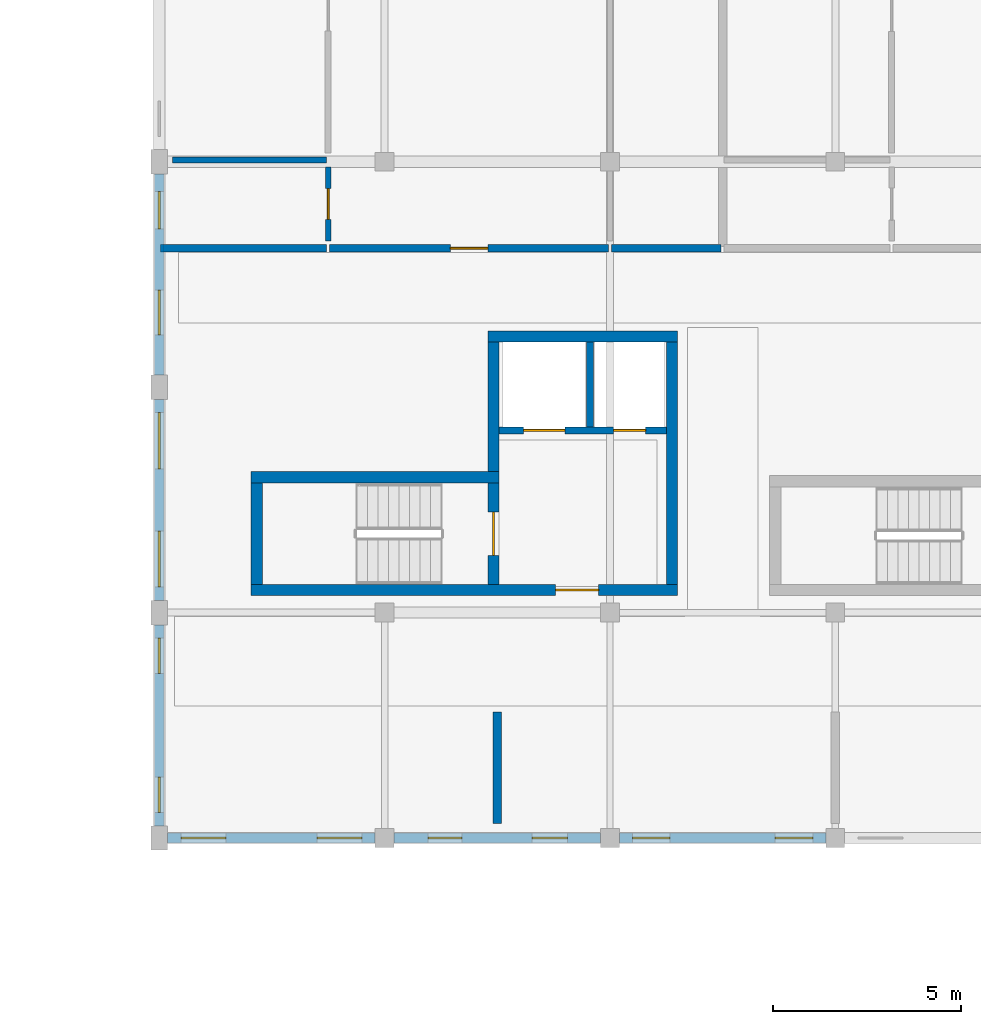
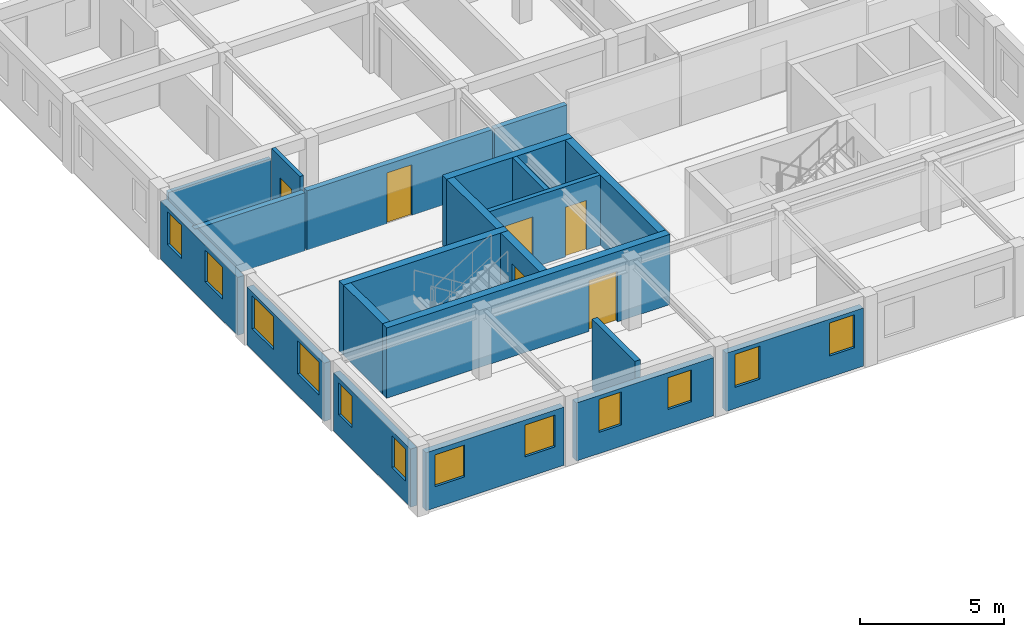
# One storey, part 13 of 23: 21 walls, 12 windows, 6 doors, 18 openings.
"""IFC4 building model written with IfcOpenShell, lengths in metres."""

from ifc_helpers import new_model, si_unit, direction, frame, frame_2d, origin, place, context, subcontext, project, spatial, rectangle, extrude, material, layer, layer_set, type_object, element, fill, save


model = new_model("IFC4")

# Units and contexts
model_context = context("Model", 3, precision=1e-05, world=origin(), true_north=direction((0.0, 1.0)))
body_context = subcontext(model_context, "Body", "Model", "MODEL_VIEW")
ifc_project = project(units=[si_unit("LENGTHUNIT", "METRE"), si_unit("AREAUNIT", "SQUARE_METRE"), si_unit("VOLUMEUNIT", "CUBIC_METRE"), si_unit("PLANEANGLEUNIT", "RADIAN"), si_unit("MASSUNIT", "GRAM", prefix="KILO"), si_unit("POWERUNIT", "WATT"), si_unit("THERMODYNAMICTEMPERATUREUNIT", "KELVIN")], contexts=[model_context])

# Site, building, storey
site_placement = place(None, origin())
site = spatial("IfcSite", under=ifc_project, at=site_placement, CompositionType="ELEMENT")
building_placement = place(site_placement, origin())
building = spatial("IfcBuilding", under=site, at=building_placement, Name="Ruvembo Vaulted Housing Court", CompositionType="ELEMENT")
storey_placement = place(building_placement, frame((0.0, 0.0, 26.89990234375)))
storey = spatial("IfcBuildingStorey", under=building, at=storey_placement, Name="L08", CompositionType="ELEMENT", Elevation=26.89990234375)

# Wall, opening, door
ifc_material_1 = material(Name="Concrete C35/45", Category="concrete")
ifc_layer_1 = layer(ifc_material_1, 0.300048828125, Name="Concrete C35/45")
ifc_layer_set_1 = layer_set([ifc_layer_1], Name="Concrete C35/45")
wall_type_1 = type_object("IfcWallType", Name="WL-CORE-300", PredefinedType="SHEAR", material=ifc_layer_set_1)
wall_1_placement = place(storey_placement, frame((50.449951171875, 90.60009765625, 0.0), z_axis=(0.0, 0.0, 1.0), x_axis=(1.0, 0.0, 0.0)))
wall_1 = element("IfcWall", 1, at=wall_1_placement, inside=storey, type_object=wall_type_1, Name="Core B1 L08 South Shear Wall", PredefinedType="SHEAR", context=body_context, shape_type="SweptSolid", body=[
    extrude(rectangle(XDim=11.35009765625, YDim=0.300048828125, at=frame_2d((5.675048828125, 0.0))), origin(), (0.0, 0.0, 1.0), 2.97998046875),
])
opening_1_placement = place(wall_1_placement, frame((8.10009765625, 0.0, 0.0)))
opening_1 = element("IfcOpeningElement", 2, at=opening_1_placement, cuts=wall_1, Name="Opening LD0", PredefinedType="OPENING", context=body_context, shape_type="SweptSolid", body=[
    extrude(rectangle(XDim=1.14990234375, YDim=2.14990234375, at=frame_2d((0.574951171875, 1.074951171875))), frame((0.0, 0.159912109375, 0.0), z_axis=(0.0, -1.0, 0.0), x_axis=(1.0, 0.0, 0.0)), (0.0, 0.0, 1.0), 0.320068359375),
])
ifc_material_2 = material(Name="Galvanised Painted Steel", Category="steel")
door_type_1 = type_object("IfcDoorType", Name="DR-LOB-1150x2150", OperationType="NOTDEFINED", PredefinedType="DOOR", material=ifc_material_2)
door_1_placement = place(opening_1_placement, origin())
door_1 = element("IfcDoor", 3, at=door_1_placement, inside=storey, type_object=door_type_1, Name="Core B1 L08 Lobby Fire Door", OperationType="SINGLE_SWING_RIGHT", OverallHeight=2.14990234375, OverallWidth=1.14990234375, PredefinedType="DOOR", context=body_context, shape_type="SweptSolid", body=[
    extrude(rectangle(XDim=1.14990234375, YDim=2.14990234375, at=frame_2d((0.574951171875, 1.074951171875))), frame((0.0, 0.02490234375, 0.0), z_axis=(0.0, -1.0, 0.0), x_axis=(1.0, 0.0, 0.0)), (0.0, 0.0, 1.0), 0.050048828125),
])
fill(opening_1, door_1)

# Walls
wall_2_placement = place(storey_placement, frame((57.050048828125, 93.60009765625, 0.0), z_axis=(0.0, 0.0, 1.0), x_axis=(-1.0, 0.0, 0.0)))
element("IfcWall", 4, at=wall_2_placement, inside=storey, type_object=wall_type_1, Name="Core B1 L08 Stair North Shear Wall", PredefinedType="SHEAR", context=body_context, shape_type="SweptSolid", body=[
    extrude(rectangle(XDim=6.60009765625, YDim=0.300048828125, at=frame_2d((3.300048828125, 0.0))), origin(), (0.0, 0.0, 1.0), 2.97998046875),
])
wall_3_placement = place(storey_placement, frame((50.60009765625, 93.449951171875, 0.0), z_axis=(0.0, 0.0, 1.0), x_axis=(0.0, -1.0, 0.0)))
element("IfcWall", 5, at=wall_3_placement, inside=storey, type_object=wall_type_1, Name="Core B1 L08 Stair West Shear Wall", PredefinedType="SHEAR", context=body_context, shape_type="SweptSolid", body=[
    extrude(rectangle(XDim=2.699951171875, YDim=0.300048828125, at=frame_2d((1.35009765625, 0.0))), origin(), (0.0, 0.0, 1.0), 2.97998046875),
])

# Wall, opening, door
wall_4_placement = place(storey_placement, frame((56.89990234375, 90.75, 0.0), z_axis=(0.0, 0.0, 1.0), x_axis=(0.0, 1.0, 0.0)))
wall_4 = element("IfcWall", 6, at=wall_4_placement, inside=storey, type_object=wall_type_1, Name="Core B1 L08 Stair-Lobby Shear Wall", PredefinedType="SHEAR", context=body_context, shape_type="SweptSolid", body=[
    extrude(rectangle(XDim=2.699951171875, YDim=0.300048828125, at=frame_2d((1.35009765625, 0.0))), origin(), (0.0, 0.0, 1.0), 2.97998046875),
])
opening_2_placement = place(wall_4_placement, frame((0.77490234375, 0.0, 0.0)))
opening_2 = element("IfcOpeningElement", 7, at=opening_2_placement, cuts=wall_4, Name="Opening SD1", PredefinedType="OPENING", context=body_context, shape_type="SweptSolid", body=[
    extrude(rectangle(XDim=1.14990234375, YDim=2.14990234375, at=frame_2d((0.574951171875, 1.074951171875))), frame((0.0, 0.159912109375, 0.0), z_axis=(0.0, -1.0, 0.0), x_axis=(1.0, 0.0, 0.0)), (0.0, 0.0, 1.0), 0.320068359375),
])
door_type_2 = type_object("IfcDoorType", Name="DR-STAIR-1150x2150", OperationType="NOTDEFINED", PredefinedType="DOOR", material=ifc_material_2)
door_2_placement = place(opening_2_placement, origin())
door_2 = element("IfcDoor", 8, at=door_2_placement, inside=storey, type_object=door_type_2, Name="Stair ST-B1 L08 Fire Door", OperationType="SINGLE_SWING_LEFT", OverallHeight=2.14990234375, OverallWidth=1.14990234375, PredefinedType="DOOR", context=body_context, shape_type="SweptSolid", body=[
    extrude(rectangle(XDim=1.14990234375, YDim=2.14990234375, at=frame_2d((0.574951171875, 1.074951171875))), frame((0.0, 0.02490234375, 0.0), z_axis=(0.0, -1.0, 0.0), x_axis=(1.0, 0.0, 0.0)), (0.0, 0.0, 1.0), 0.050048828125),
])
fill(opening_2, door_2)

# Walls
wall_5_placement = place(storey_placement, frame((61.800048828125, 97.35009765625, 0.0), z_axis=(0.0, 0.0, 1.0), x_axis=(-1.0, 0.0, 0.0)))
element("IfcWall", 9, at=wall_5_placement, inside=storey, type_object=wall_type_1, Name="Core B1 L08 North Shear Wall", PredefinedType="SHEAR", context=body_context, shape_type="SweptSolid", body=[
    extrude(rectangle(XDim=5.050048828125, YDim=0.300048828125, at=frame_2d((2.52490234375, 0.0))), origin(), (0.0, 0.0, 1.0), 2.97998046875),
])
wall_6_placement = place(storey_placement, frame((61.64990234375, 90.75, 0.0), z_axis=(0.0, 0.0, 1.0), x_axis=(0.0, 1.0, 0.0)))
element("IfcWall", 10, at=wall_6_placement, inside=storey, type_object=wall_type_1, Name="Core B1 L08 East Shear Wall", PredefinedType="SHEAR", context=body_context, shape_type="SweptSolid", body=[
    extrude(rectangle(XDim=6.449951171875, YDim=0.300048828125, at=frame_2d((3.22509765625, 0.0))), origin(), (0.0, 0.0, 1.0), 2.97998046875),
])
wall_7_placement = place(storey_placement, frame((56.89990234375, 93.75, 0.0), z_axis=(0.0, 0.0, 1.0), x_axis=(0.0, 1.0, 0.0)))
element("IfcWall", 11, at=wall_7_placement, inside=storey, type_object=wall_type_1, Name="Core B1 L08 Upper West Shear Wall", PredefinedType="SHEAR", context=body_context, shape_type="SweptSolid", body=[
    extrude(rectangle(XDim=3.449951171875, YDim=0.300048828125, at=frame_2d((1.72509765625, 0.0))), origin(), (0.0, 0.0, 1.0), 2.97998046875),
])
ifc_material_3 = material(Name="Concrete Blockwork 210", Category="masonry")
ifc_layer_2 = layer(ifc_material_3, 0.2099609375, Name="Concrete Blockwork 210")
ifc_layer_set_2 = layer_set([ifc_layer_2], Name="Concrete Blockwork 210")
wall_type_2 = type_object("IfcWallType", Name="WL-CORR-210", PredefinedType="SOLIDWALL", material=ifc_layer_set_2)
wall_8_placement = place(storey_placement, frame((48.0400390625, 99.699951171875, 0.0), z_axis=(0.0, 0.0, 1.0), x_axis=(1.0, 0.0, 0.0)))
element("IfcWall", 12, at=wall_8_placement, inside=storey, type_object=wall_type_2, Name="L08 Flat B-L08-N1 Corridor Wall WL-INT-L08-02070", PredefinedType="SOLIDWALL", context=body_context, shape_type="SweptSolid", body=[
    extrude(rectangle(XDim=4.419921875, YDim=0.2099609375, at=frame_2d((2.2099609375, 0.0))), origin(), (0.0, 0.0, 1.0), 2.462158203125),
])

# Wall, opening, door
wall_9_placement = place(storey_placement, frame((52.5400390625, 99.699951171875, 0.0), z_axis=(0.0, 0.0, 1.0), x_axis=(1.0, 0.0, 0.0)))
wall_9 = element("IfcWall", 13, at=wall_9_placement, inside=storey, type_object=wall_type_2, Name="L08 Flat B-L08-N1 Entrance WL-INT-L08-02071", PredefinedType="SOLIDWALL", context=body_context, shape_type="SweptSolid", body=[
    extrude(rectangle(XDim=7.419921875, YDim=0.2099609375, at=frame_2d((3.7099609375, 0.0))), origin(), (0.0, 0.0, 1.0), 2.508056640625),
])
opening_3_placement = place(wall_9_placement, frame((3.2099609375, 0.0, 0.0)))
opening_3 = element("IfcOpeningElement", 14, at=opening_3_placement, cuts=wall_9, Name="Opening FD1", PredefinedType="OPENING", context=body_context, shape_type="SweptSolid", body=[
    extrude(rectangle(XDim=1.0, YDim=2.14990234375, at=frame_2d((0.5, 1.074951171875))), frame((0.0, 0.114990234375, 0.0), z_axis=(0.0, -1.0, 0.0), x_axis=(1.0, 0.0, 0.0)), (0.0, 0.0, 1.0), 0.22998046875),
])
ifc_material_4 = material(Name="FSC Hardwood and Engineered Timber", Category="wood")
door_type_3 = type_object("IfcDoorType", Name="DR-FLAT-1000x2150", OperationType="NOTDEFINED", PredefinedType="DOOR", material=ifc_material_4)
door_3_placement = place(opening_3_placement, origin())
door_3 = element("IfcDoor", 15, at=door_3_placement, inside=storey, type_object=door_type_3, Name="L08 Flat B-L08-N1 Entrance Door DR-INT-L08-01155", OperationType="SINGLE_SWING_LEFT", OverallHeight=2.14990234375, OverallWidth=1.0, PredefinedType="DOOR", context=body_context, shape_type="SweptSolid", body=[
    extrude(rectangle(XDim=1.0, YDim=2.14990234375, at=frame_2d((0.5, 1.074951171875))), frame((0.0, 0.02490234375, 0.0), z_axis=(0.0, -1.0, 0.0), x_axis=(1.0, 0.0, 0.0)), (0.0, 0.0, 1.0), 0.050048828125),
])
fill(opening_3, door_3)

# Walls
wall_10_placement = place(storey_placement, frame((60.0400390625, 99.699951171875, 0.0), z_axis=(0.0, 0.0, 1.0), x_axis=(1.0, 0.0, 0.0)))
element("IfcWall", 16, at=wall_10_placement, inside=storey, type_object=wall_type_2, Name="L08 Flat B-L08-N1 Corridor Wall 2 WL-INT-L08-02077", PredefinedType="SOLIDWALL", context=body_context, shape_type="SweptSolid", body=[
    extrude(rectangle(XDim=2.919921875, YDim=0.2099609375, at=frame_2d((1.4599609375, 0.0))), origin(), (0.0, 0.0, 1.0), 2.508056640625),
])
ifc_material_5 = material(Name="Acoustic Masonry Demising 220", Category="masonry")
ifc_layer_3 = layer(ifc_material_5, 0.219970703125, Name="Acoustic Masonry Demising 220")
ifc_layer_set_3 = layer_set([ifc_layer_3], Name="Acoustic Masonry Demising 220")
wall_type_3 = type_object("IfcWallType", Name="WL-DEM-200", PredefinedType="SOLIDWALL", material=ifc_layer_set_3)
wall_11_placement = place(storey_placement, frame((57.0, 84.389892578125, 0.0), z_axis=(0.0, 0.0, 1.0), x_axis=(0.0, 1.0, 0.0)))
element("IfcWall", 17, at=wall_11_placement, inside=storey, type_object=wall_type_3, Name="L08 Demising B-L08-S1 WL-INT-L08-02067", PredefinedType="SOLIDWALL", context=body_context, shape_type="SweptSolid", body=[
    extrude(rectangle(XDim=2.97021484375, YDim=0.219970703125, at=frame_2d((1.485107421875, 0.0))), origin(), (0.0, 0.0, 1.0), 2.97998046875),
])

# Wall, openings, windows
ifc_material_6 = material(Name="Rendered Masonry 260", Category="masonry")
ifc_layer_4 = layer(ifc_material_6, 0.260009765625, Name="Rendered Masonry 260")
ifc_layer_set_4 = layer_set([ifc_layer_4], Name="Rendered Masonry 260")
wall_type_4 = type_object("IfcWallType", Name="WL-EXT-260", PredefinedType="STANDARD", material=ifc_layer_set_4)
wall_12_placement = place(storey_placement, frame((48.22509765625, 84.0, 0.0), z_axis=(0.0, 0.0, 1.0), x_axis=(1.0, 0.0, 0.0)))
wall_12 = element("IfcWall", 18, at=wall_12_placement, inside=storey, type_object=wall_type_4, Name="Block B L08 Exterior Wall COURTYARD #1", PredefinedType="STANDARD", context=body_context, shape_type="SweptSolid", body=[
    extrude(rectangle(XDim=5.52490234375, YDim=0.260009765625, at=frame_2d((2.762451171875, 0.0))), origin(), (0.0, 0.0, 1.0), 2.462158203125),
])
opening_4_placement = place(wall_12_placement, frame((0.35009765625, 0.0, 0.89990234375)))
opening_4 = element("IfcOpeningElement", 19, at=opening_4_placement, cuts=wall_12, Name="Opening W12", PredefinedType="OPENING", context=body_context, shape_type="SweptSolid", body=[
    extrude(rectangle(XDim=1.199951171875, YDim=1.35009765625, at=frame_2d((0.60009765625, 0.675048828125))), frame((0.0, 0.139892578125, 0.0), z_axis=(0.0, -1.0, 0.0), x_axis=(1.0, 0.0, 0.0)), (0.0, 0.0, 1.0), 0.280029296875),
])
opening_5_placement = place(wall_12_placement, frame((3.97509765625, 0.0, 0.89990234375)))
opening_5 = element("IfcOpeningElement", 20, at=opening_5_placement, cuts=wall_12, Name="Opening W12", PredefinedType="OPENING", context=body_context, shape_type="SweptSolid", body=[
    extrude(rectangle(XDim=1.199951171875, YDim=1.35009765625, at=frame_2d((0.60009765625, 0.675048828125))), frame((0.0, 0.139892578125, 0.0), z_axis=(0.0, -1.0, 0.0), x_axis=(1.0, 0.0, 0.0)), (0.0, 0.0, 1.0), 0.280029296875),
])
ifc_material_7 = material(Name="Double Solar-Control Glazing in Aluminium Frame", Category="aluminium")
window_type_1 = type_object("IfcWindowType", Name="WIN-1200x1350", PartitioningType="SINGLE_PANEL", PredefinedType="WINDOW", material=ifc_material_7)
window_1_placement = place(opening_4_placement, origin())
window_1 = element("IfcWindow", 21, at=window_1_placement, inside=storey, type_object=window_type_1, Name="Block B L08 Window #946", OverallHeight=1.35009765625, OverallWidth=1.199951171875, PartitioningType="SINGLE_PANEL", PredefinedType="WINDOW", context=body_context, shape_type="SweptSolid", body=[
    extrude(rectangle(XDim=1.199951171875, YDim=1.35009765625, at=frame_2d((0.60009765625, 0.675048828125))), frame((0.0, 0.030029296875, 0.0), z_axis=(0.0, -1.0, 0.0), x_axis=(1.0, 0.0, 0.0)), (0.0, 0.0, 1.0), 0.06005859375),
])
fill(opening_4, window_1)
window_2_placement = place(opening_5_placement, origin())
window_2 = element("IfcWindow", 22, at=window_2_placement, inside=storey, type_object=window_type_1, Name="Block B L08 Window #947", OverallHeight=1.35009765625, OverallWidth=1.199951171875, PartitioningType="SINGLE_PANEL", PredefinedType="WINDOW", context=body_context, shape_type="SweptSolid", body=[
    extrude(rectangle(XDim=1.199951171875, YDim=1.35009765625, at=frame_2d((0.60009765625, 0.675048828125))), frame((0.0, 0.030029296875, 0.0), z_axis=(0.0, -1.0, 0.0), x_axis=(1.0, 0.0, 0.0)), (0.0, 0.0, 1.0), 0.06005859375),
])
fill(opening_5, window_2)

wall_13_placement = place(storey_placement, frame((54.25, 84.0, 0.0), z_axis=(0.0, 0.0, 1.0), x_axis=(1.0, 0.0, 0.0)))
wall_13 = element("IfcWall", 23, at=wall_13_placement, inside=storey, type_object=wall_type_4, Name="Block B L08 Exterior Wall COURTYARD #2", PredefinedType="STANDARD", context=body_context, shape_type="SweptSolid", body=[
    extrude(rectangle(XDim=5.5, YDim=0.260009765625, at=frame_2d((2.75, 0.0))), origin(), (0.0, 0.0, 1.0), 2.462158203125),
])
opening_6_placement = place(wall_13_placement, frame((0.905029296875, 0.0, 0.89990234375)))
opening_6 = element("IfcOpeningElement", 24, at=opening_6_placement, cuts=wall_13, Name="Opening W05", PredefinedType="OPENING", context=body_context, shape_type="SweptSolid", body=[
    extrude(rectangle(XDim=0.89990234375, YDim=1.39990234375, at=frame_2d((0.449951171875, 0.699951171875))), frame((0.0, 0.139892578125, 0.0), z_axis=(0.0, -1.0, 0.0), x_axis=(1.0, 0.0, 0.0)), (0.0, 0.0, 1.0), 0.280029296875),
])
opening_7_placement = place(wall_13_placement, frame((3.669921875, 0.0, 0.89990234375)))
opening_7 = element("IfcOpeningElement", 25, at=opening_7_placement, cuts=wall_13, Name="Opening W07", PredefinedType="OPENING", context=body_context, shape_type="SweptSolid", body=[
    extrude(rectangle(XDim=0.949951171875, YDim=1.35009765625, at=frame_2d((0.47509765625, 0.675048828125))), frame((0.0, 0.139892578125, 0.0), z_axis=(0.0, -1.0, 0.0), x_axis=(1.0, 0.0, 0.0)), (0.0, 0.0, 1.0), 0.280029296875),
])
window_type_2 = type_object("IfcWindowType", Name="WIN-0900x1400", PartitioningType="SINGLE_PANEL", PredefinedType="WINDOW", material=ifc_material_7)
window_3_placement = place(opening_6_placement, origin())
window_3 = element("IfcWindow", 26, at=window_3_placement, inside=storey, type_object=window_type_2, Name="Block B L08 Window #948", OverallHeight=1.39990234375, OverallWidth=0.89990234375, PartitioningType="SINGLE_PANEL", PredefinedType="WINDOW", context=body_context, shape_type="SweptSolid", body=[
    extrude(rectangle(XDim=0.89990234375, YDim=1.39990234375, at=frame_2d((0.449951171875, 0.699951171875))), frame((0.0, 0.030029296875, 0.0), z_axis=(0.0, -1.0, 0.0), x_axis=(1.0, 0.0, 0.0)), (0.0, 0.0, 1.0), 0.06005859375),
])
fill(opening_6, window_3)
window_type_3 = type_object("IfcWindowType", Name="WIN-0950x1350", PartitioningType="SINGLE_PANEL", PredefinedType="WINDOW", material=ifc_material_7)
window_4_placement = place(opening_7_placement, origin())
window_4 = element("IfcWindow", 27, at=window_4_placement, inside=storey, type_object=window_type_3, Name="Block B L08 Window #949", OverallHeight=1.35009765625, OverallWidth=0.949951171875, PartitioningType="SINGLE_PANEL", PredefinedType="WINDOW", context=body_context, shape_type="SweptSolid", body=[
    extrude(rectangle(XDim=0.949951171875, YDim=1.35009765625, at=frame_2d((0.47509765625, 0.675048828125))), frame((0.0, 0.030029296875, 0.0), z_axis=(0.0, -1.0, 0.0), x_axis=(1.0, 0.0, 0.0)), (0.0, 0.0, 1.0), 0.06005859375),
])
fill(opening_7, window_4)

wall_14_placement = place(storey_placement, frame((60.25, 84.0, 0.0), z_axis=(0.0, 0.0, 1.0), x_axis=(1.0, 0.0, 0.0)))
wall_14 = element("IfcWall", 28, at=wall_14_placement, inside=storey, type_object=wall_type_4, Name="Block B L08 Exterior Wall COURTYARD #3", PredefinedType="STANDARD", context=body_context, shape_type="SweptSolid", body=[
    extrude(rectangle(XDim=5.5, YDim=0.260009765625, at=frame_2d((2.75, 0.0))), origin(), (0.0, 0.0, 1.0), 2.462158203125),
])
opening_8_placement = place(wall_14_placement, frame((0.35009765625, 0.0, 0.89990234375)))
opening_8 = element("IfcOpeningElement", 29, at=opening_8_placement, cuts=wall_14, Name="Opening W08", PredefinedType="OPENING", context=body_context, shape_type="SweptSolid", body=[
    extrude(rectangle(XDim=1.0, YDim=1.39990234375, at=frame_2d((0.5, 0.699951171875))), frame((0.0, 0.139892578125, 0.0), z_axis=(0.0, -1.0, 0.0), x_axis=(1.0, 0.0, 0.0)), (0.0, 0.0, 1.0), 0.280029296875),
])
opening_9_placement = place(wall_14_placement, frame((4.14990234375, 0.0, 0.89990234375)))
opening_9 = element("IfcOpeningElement", 30, at=opening_9_placement, cuts=wall_14, Name="Opening W08", PredefinedType="OPENING", context=body_context, shape_type="SweptSolid", body=[
    extrude(rectangle(XDim=1.0, YDim=1.39990234375, at=frame_2d((0.5, 0.699951171875))), frame((0.0, 0.139892578125, 0.0), z_axis=(0.0, -1.0, 0.0), x_axis=(1.0, 0.0, 0.0)), (0.0, 0.0, 1.0), 0.280029296875),
])
window_type_4 = type_object("IfcWindowType", Name="WIN-1000x1400", PartitioningType="SINGLE_PANEL", PredefinedType="WINDOW", material=ifc_material_7)
window_5_placement = place(opening_8_placement, origin())
window_5 = element("IfcWindow", 31, at=window_5_placement, inside=storey, type_object=window_type_4, Name="Block B L08 Window #950", OverallHeight=1.39990234375, OverallWidth=1.0, PartitioningType="SINGLE_PANEL", PredefinedType="WINDOW", context=body_context, shape_type="SweptSolid", body=[
    extrude(rectangle(XDim=1.0, YDim=1.39990234375, at=frame_2d((0.5, 0.699951171875))), frame((0.0, 0.030029296875, 0.0), z_axis=(0.0, -1.0, 0.0), x_axis=(1.0, 0.0, 0.0)), (0.0, 0.0, 1.0), 0.06005859375),
])
fill(opening_8, window_5)
window_6_placement = place(opening_9_placement, origin())
window_6 = element("IfcWindow", 32, at=window_6_placement, inside=storey, type_object=window_type_4, Name="Block B L08 Window #951", OverallHeight=1.39990234375, OverallWidth=1.0, PartitioningType="SINGLE_PANEL", PredefinedType="WINDOW", context=body_context, shape_type="SweptSolid", body=[
    extrude(rectangle(XDim=1.0, YDim=1.39990234375, at=frame_2d((0.5, 0.699951171875))), frame((0.0, 0.030029296875, 0.0), z_axis=(0.0, -1.0, 0.0), x_axis=(1.0, 0.0, 0.0)), (0.0, 0.0, 1.0), 0.06005859375),
])
fill(opening_9, window_6)

wall_15_placement = place(storey_placement, frame((48.0, 101.675048828125, 0.0), z_axis=(0.0, 0.0, 1.0), x_axis=(0.0, -1.0, 0.0)))
wall_15 = element("IfcWall", 33, at=wall_15_placement, inside=storey, type_object=wall_type_4, Name="Block B L08 Exterior Wall WEST #3", PredefinedType="STANDARD", context=body_context, shape_type="SweptSolid", body=[
    extrude(rectangle(XDim=5.35009765625, YDim=0.260009765625, at=frame_2d((2.675048828125, 0.0))), origin(), (0.0, 0.0, 1.0), 2.462158203125),
])
opening_10_placement = place(wall_15_placement, frame((0.467529296875, 0.0, 0.89990234375)))
opening_10 = element("IfcOpeningElement", 34, at=opening_10_placement, cuts=wall_15, Name="Opening W08", PredefinedType="OPENING", context=body_context, shape_type="SweptSolid", body=[
    extrude(rectangle(XDim=1.0, YDim=1.39990234375, at=frame_2d((0.5, 0.699951171875))), frame((0.0, 0.139892578125, 0.0), z_axis=(0.0, -1.0, 0.0), x_axis=(1.0, 0.0, 0.0)), (0.0, 0.0, 1.0), 0.280029296875),
])
opening_11_placement = place(wall_15_placement, frame((3.08251953125, 0.0, 0.89990234375)))
opening_11 = element("IfcOpeningElement", 35, at=opening_11_placement, cuts=wall_15, Name="Opening W12", PredefinedType="OPENING", context=body_context, shape_type="SweptSolid", body=[
    extrude(rectangle(XDim=1.199951171875, YDim=1.35009765625, at=frame_2d((0.60009765625, 0.675048828125))), frame((0.0, 0.139892578125, 0.0), z_axis=(0.0, -1.0, 0.0), x_axis=(1.0, 0.0, 0.0)), (0.0, 0.0, 1.0), 0.280029296875),
])
window_7_placement = place(opening_10_placement, origin())
window_7 = element("IfcWindow", 36, at=window_7_placement, inside=storey, type_object=window_type_4, Name="Block B L08 Window #981", OverallHeight=1.39990234375, OverallWidth=1.0, PartitioningType="SINGLE_PANEL", PredefinedType="WINDOW", context=body_context, shape_type="SweptSolid", body=[
    extrude(rectangle(XDim=1.0, YDim=1.39990234375, at=frame_2d((0.5, 0.699951171875))), frame((0.0, 0.030029296875, 0.0), z_axis=(0.0, -1.0, 0.0), x_axis=(1.0, 0.0, 0.0)), (0.0, 0.0, 1.0), 0.06005859375),
])
fill(opening_10, window_7)
window_8_placement = place(opening_11_placement, origin())
window_8 = element("IfcWindow", 37, at=window_8_placement, inside=storey, type_object=window_type_1, Name="Block B L08 Window #982", OverallHeight=1.35009765625, OverallWidth=1.199951171875, PartitioningType="SINGLE_PANEL", PredefinedType="WINDOW", context=body_context, shape_type="SweptSolid", body=[
    extrude(rectangle(XDim=1.199951171875, YDim=1.35009765625, at=frame_2d((0.60009765625, 0.675048828125))), frame((0.0, 0.030029296875, 0.0), z_axis=(0.0, -1.0, 0.0), x_axis=(1.0, 0.0, 0.0)), (0.0, 0.0, 1.0), 0.06005859375),
])
fill(opening_11, window_8)

wall_16_placement = place(storey_placement, frame((48.0, 95.675048828125, 0.0), z_axis=(0.0, 0.0, 1.0), x_axis=(0.0, -1.0, 0.0)))
wall_16 = element("IfcWall", 38, at=wall_16_placement, inside=storey, type_object=wall_type_4, Name="Block B L08 Exterior Wall WEST #4", PredefinedType="STANDARD", context=body_context, shape_type="SweptSolid", body=[
    extrude(rectangle(XDim=5.35009765625, YDim=0.260009765625, at=frame_2d((2.675048828125, 0.0))), origin(), (0.0, 0.0, 1.0), 2.462158203125),
])
opening_12_placement = place(wall_16_placement, frame((0.35009765625, 0.0, 0.89990234375)))
opening_12 = element("IfcOpeningElement", 39, at=opening_12_placement, cuts=wall_16, Name="Opening W18", PredefinedType="OPENING", context=body_context, shape_type="SweptSolid", body=[
    extrude(rectangle(XDim=1.5, YDim=1.39990234375, at=frame_2d((0.75, 0.699951171875))), frame((0.0, 0.139892578125, 0.0), z_axis=(0.0, -1.0, 0.0), x_axis=(1.0, 0.0, 0.0)), (0.0, 0.0, 1.0), 0.280029296875),
])
opening_13_placement = place(wall_16_placement, frame((3.5, 0.0, 0.89990234375)))
opening_13 = element("IfcOpeningElement", 40, at=opening_13_placement, cuts=wall_16, Name="Opening W18", PredefinedType="OPENING", context=body_context, shape_type="SweptSolid", body=[
    extrude(rectangle(XDim=1.5, YDim=1.39990234375, at=frame_2d((0.75, 0.699951171875))), frame((0.0, 0.139892578125, 0.0), z_axis=(0.0, -1.0, 0.0), x_axis=(1.0, 0.0, 0.0)), (0.0, 0.0, 1.0), 0.280029296875),
])
window_type_5 = type_object("IfcWindowType", Name="WIN-1500x1400", PartitioningType="SINGLE_PANEL", PredefinedType="WINDOW", material=ifc_material_7)
window_9_placement = place(opening_12_placement, origin())
window_9 = element("IfcWindow", 41, at=window_9_placement, inside=storey, type_object=window_type_5, Name="Block B L08 Window #983", OverallHeight=1.39990234375, OverallWidth=1.5, PartitioningType="SINGLE_PANEL", PredefinedType="WINDOW", context=body_context, shape_type="SweptSolid", body=[
    extrude(rectangle(XDim=1.5, YDim=1.39990234375, at=frame_2d((0.75, 0.699951171875))), frame((0.0, 0.030029296875, 0.0), z_axis=(0.0, -1.0, 0.0), x_axis=(1.0, 0.0, 0.0)), (0.0, 0.0, 1.0), 0.06005859375),
])
fill(opening_12, window_9)
window_10_placement = place(opening_13_placement, origin())
window_10 = element("IfcWindow", 42, at=window_10_placement, inside=storey, type_object=window_type_5, Name="Block B L08 Window #984", OverallHeight=1.39990234375, OverallWidth=1.5, PartitioningType="SINGLE_PANEL", PredefinedType="WINDOW", context=body_context, shape_type="SweptSolid", body=[
    extrude(rectangle(XDim=1.5, YDim=1.39990234375, at=frame_2d((0.75, 0.699951171875))), frame((0.0, 0.030029296875, 0.0), z_axis=(0.0, -1.0, 0.0), x_axis=(1.0, 0.0, 0.0)), (0.0, 0.0, 1.0), 0.06005859375),
])
fill(opening_13, window_10)

wall_17_placement = place(storey_placement, frame((48.0, 89.675048828125, 0.0), z_axis=(0.0, 0.0, 1.0), x_axis=(0.0, -1.0, 0.0)))
wall_17 = element("IfcWall", 43, at=wall_17_placement, inside=storey, type_object=wall_type_4, Name="Block B L08 Exterior Wall WEST #5", PredefinedType="STANDARD", context=body_context, shape_type="SweptSolid", body=[
    extrude(rectangle(XDim=5.35009765625, YDim=0.260009765625, at=frame_2d((2.675048828125, 0.0))), origin(), (0.0, 0.0, 1.0), 2.462158203125),
])
opening_14_placement = place(wall_17_placement, frame((0.35009765625, 0.0, 0.89990234375)))
opening_14 = element("IfcOpeningElement", 44, at=opening_14_placement, cuts=wall_17, Name="Opening W07", PredefinedType="OPENING", context=body_context, shape_type="SweptSolid", body=[
    extrude(rectangle(XDim=0.949951171875, YDim=1.35009765625, at=frame_2d((0.47509765625, 0.675048828125))), frame((0.0, 0.139892578125, 0.0), z_axis=(0.0, -1.0, 0.0), x_axis=(1.0, 0.0, 0.0)), (0.0, 0.0, 1.0), 0.280029296875),
])
opening_15_placement = place(wall_17_placement, frame((4.050048828125, 0.0, 0.89990234375)))
opening_15 = element("IfcOpeningElement", 45, at=opening_15_placement, cuts=wall_17, Name="Opening W07", PredefinedType="OPENING", context=body_context, shape_type="SweptSolid", body=[
    extrude(rectangle(XDim=0.949951171875, YDim=1.35009765625, at=frame_2d((0.47509765625, 0.675048828125))), frame((0.0, 0.139892578125, 0.0), z_axis=(0.0, -1.0, 0.0), x_axis=(1.0, 0.0, 0.0)), (0.0, 0.0, 1.0), 0.280029296875),
])
window_11_placement = place(opening_14_placement, origin())
window_11 = element("IfcWindow", 46, at=window_11_placement, inside=storey, type_object=window_type_3, Name="Block B L08 Window #985", OverallHeight=1.35009765625, OverallWidth=0.949951171875, PartitioningType="SINGLE_PANEL", PredefinedType="WINDOW", context=body_context, shape_type="SweptSolid", body=[
    extrude(rectangle(XDim=0.949951171875, YDim=1.35009765625, at=frame_2d((0.47509765625, 0.675048828125))), frame((0.0, 0.030029296875, 0.0), z_axis=(0.0, -1.0, 0.0), x_axis=(1.0, 0.0, 0.0)), (0.0, 0.0, 1.0), 0.06005859375),
])
fill(opening_14, window_11)
window_12_placement = place(opening_15_placement, origin())
window_12 = element("IfcWindow", 47, at=window_12_placement, inside=storey, type_object=window_type_3, Name="Block B L08 Window #986", OverallHeight=1.35009765625, OverallWidth=0.949951171875, PartitioningType="SINGLE_PANEL", PredefinedType="WINDOW", context=body_context, shape_type="SweptSolid", body=[
    extrude(rectangle(XDim=0.949951171875, YDim=1.35009765625, at=frame_2d((0.47509765625, 0.675048828125))), frame((0.0, 0.030029296875, 0.0), z_axis=(0.0, -1.0, 0.0), x_axis=(1.0, 0.0, 0.0)), (0.0, 0.0, 1.0), 0.06005859375),
])
fill(opening_15, window_12)

# Wall, opening, door
ifc_material_8 = material(Name="Moisture-Resistant Wet Partition 150", Category="gypsum")
ifc_layer_5 = layer(ifc_material_8, 0.14990234375, Name="Moisture-Resistant Wet Partition 150")
ifc_layer_set_5 = layer_set([ifc_layer_5], Name="Moisture-Resistant Wet Partition 150")
wall_type_5 = type_object("IfcWallType", Name="WL-PART-150", PredefinedType="PARTITIONING", material=ifc_layer_set_5)
wall_18_placement = place(storey_placement, frame((52.5, 99.889892578125, 0.0), z_axis=(0.0, 0.0, 1.0), x_axis=(0.0, 1.0, 0.0)))
wall_18 = element("IfcWall", 48, at=wall_18_placement, inside=storey, type_object=wall_type_5, Name="L08 Flat B-L08-N1 Bathroom WL-INT-L08-02074", PredefinedType="PARTITIONING", context=body_context, shape_type="SweptSolid", body=[
    extrude(rectangle(XDim=1.97021484375, YDim=0.14990234375, at=frame_2d((0.985107421875, 0.0))), origin(), (0.0, 0.0, 1.0), 2.97998046875),
])
opening_16_placement = place(wall_18_placement, frame((0.574951171875, 0.0, 0.0)))
opening_16 = element("IfcOpeningElement", 49, at=opening_16_placement, cuts=wall_18, Name="Opening ID4", PredefinedType="OPENING", context=body_context, shape_type="SweptSolid", body=[
    extrude(rectangle(XDim=0.820068359375, YDim=2.080078125, at=frame_2d((0.41015625, 1.0400390625))), frame((0.0, 0.0849609375, 0.0), z_axis=(0.0, -1.0, 0.0), x_axis=(1.0, 0.0, 0.0)), (0.0, 0.0, 1.0), 0.169921875),
])
door_type_4 = type_object("IfcDoorType", Name="DR-WET-0820x2080", OperationType="NOTDEFINED", PredefinedType="DOOR", material=ifc_material_4)
door_4_placement = place(opening_16_placement, origin())
door_4 = element("IfcDoor", 50, at=door_4_placement, inside=storey, type_object=door_type_4, Name="L08 Flat B-L08-N1 Bathroom Door DR-INT-L08-01158", OperationType="SINGLE_SWING_RIGHT", OverallHeight=2.080078125, OverallWidth=0.820068359375, PredefinedType="DOOR", context=body_context, shape_type="SweptSolid", body=[
    extrude(rectangle(XDim=0.820068359375, YDim=2.080078125, at=frame_2d((0.41015625, 1.0400390625))), frame((0.0, 0.02490234375, 0.0), z_axis=(0.0, -1.0, 0.0), x_axis=(1.0, 0.0, 0.0)), (0.0, 0.0, 1.0), 0.050048828125),
])
fill(opening_16, door_4)

# Wall
wall_19_placement = place(storey_placement, frame((48.360107421875, 102.050048828125, 0.0), z_axis=(0.0, 0.0, 1.0), x_axis=(1.0, 0.0, 0.0)))
element("IfcWall", 51, at=wall_19_placement, inside=storey, type_object=wall_type_5, Name="L08 Flat B-L08-N1 Wet Wall 2 WL-INT-L08-02076", PredefinedType="PARTITIONING", context=body_context, shape_type="SweptSolid", body=[
    extrude(rectangle(XDim=4.099853515625, YDim=0.14990234375, at=frame_2d((2.0498046875, 0.0))), origin(), (0.0, 0.0, 1.0), 2.462158203125),
])

# Wall, openings, doors
ifc_material_9 = material(Name="Fire-Rated Masonry Shaft 180", Category="masonry")
ifc_layer_6 = layer(ifc_material_9, 0.179931640625, Name="Fire-Rated Masonry Shaft 180")
ifc_layer_set_6 = layer_set([ifc_layer_6], Name="Fire-Rated Masonry Shaft 180")
wall_type_6 = type_object("IfcWallType", Name="WL-SHAFT-180", PredefinedType="SOLIDWALL", material=ifc_layer_set_6)
wall_20_placement = place(storey_placement, frame((57.050048828125, 94.85009765625, 0.0), z_axis=(0.0, 0.0, 1.0), x_axis=(1.0, 0.0, 0.0)))
wall_20 = element("IfcWall", 52, at=wall_20_placement, inside=storey, type_object=wall_type_6, Name="Core B1 L08 Lift and Riser Front Wall", PredefinedType="SOLIDWALL", context=body_context, shape_type="SweptSolid", body=[
    extrude(rectangle(XDim=4.449951171875, YDim=0.179931640625, at=frame_2d((2.22509765625, 0.0))), origin(), (0.0, 0.0, 1.0), 2.97998046875),
])
opening_17_placement = place(wall_20_placement, frame((0.64990234375, 0.0, 0.0)))
opening_17 = element("IfcOpeningElement", 53, at=opening_17_placement, cuts=wall_20, Name="Opening LD-LP-B1-L08", PredefinedType="OPENING", context=body_context, shape_type="SweptSolid", body=[
    extrude(rectangle(XDim=1.10009765625, YDim=2.14990234375, at=frame_2d((0.550048828125, 1.074951171875))), frame((0.0, 0.099853515625, 0.0), z_axis=(0.0, -1.0, 0.0), x_axis=(1.0, 0.0, 0.0)), (0.0, 0.0, 1.0), 0.199951171875),
])
opening_18_placement = place(wall_20_placement, frame((3.050048828125, 0.0, 0.0)))
opening_18 = element("IfcOpeningElement", 54, at=opening_18_placement, cuts=wall_20, Name="Opening RD1", PredefinedType="OPENING", context=body_context, shape_type="SweptSolid", body=[
    extrude(rectangle(XDim=0.85009765625, YDim=2.10009765625, at=frame_2d((0.425048828125, 1.050048828125))), frame((0.0, 0.099853515625, 0.0), z_axis=(0.0, -1.0, 0.0), x_axis=(1.0, 0.0, 0.0)), (0.0, 0.0, 1.0), 0.199951171875),
])
ifc_material_10 = material(Name="Brushed Stainless Steel 304", Category="steel")
door_type_5 = type_object("IfcDoorType", Name="DR-LIFT-1100x2150", OperationType="NOTDEFINED", PredefinedType="DOOR", material=ifc_material_10)
door_5_placement = place(opening_17_placement, origin())
door_5 = element("IfcDoor", 55, at=door_5_placement, inside=storey, type_object=door_type_5, Name="Lift LP-B1 L08 Sliding Landing Door", OperationType="SLIDING_TO_LEFT", OverallHeight=2.14990234375, OverallWidth=1.10009765625, PredefinedType="DOOR", context=body_context, shape_type="SweptSolid", body=[
    extrude(rectangle(XDim=1.10009765625, YDim=2.14990234375, at=frame_2d((0.550048828125, 1.074951171875))), frame((0.0, 0.02490234375, 0.0), z_axis=(0.0, -1.0, 0.0), x_axis=(1.0, 0.0, 0.0)), (0.0, 0.0, 1.0), 0.050048828125),
])
fill(opening_17, door_5)
door_type_6 = type_object("IfcDoorType", Name="DR-RISER-0850x2100", OperationType="NOTDEFINED", PredefinedType="DOOR", material=ifc_material_2)
door_6_placement = place(opening_18_placement, frame((0.85009765625, 0.0, 0.0), z_axis=(0.0, 0.0, 1.0), x_axis=(-1.0, 0.0, 0.0)))
door_6 = element("IfcDoor", 56, at=door_6_placement, inside=storey, type_object=door_type_6, Name="Core B1 L08 Service Riser Door", OperationType="SINGLE_SWING_RIGHT", OverallHeight=2.10009765625, OverallWidth=0.85009765625, PredefinedType="DOOR", context=body_context, shape_type="SweptSolid", body=[
    extrude(rectangle(XDim=0.85009765625, YDim=2.10009765625, at=frame_2d((0.425048828125, 1.050048828125))), frame((0.0, 0.02490234375, 0.0), z_axis=(0.0, -1.0, 0.0), x_axis=(1.0, 0.0, 0.0)), (0.0, 0.0, 1.0), 0.050048828125),
])
fill(opening_18, door_6)

# Wall
wall_21_placement = place(storey_placement, frame((59.469970703125, 94.93994140625, 0.0), z_axis=(0.0, 0.0, 1.0), x_axis=(0.0, 1.0, 0.0)))
element("IfcWall", 57, at=wall_21_placement, inside=storey, type_object=wall_type_6, Name="Core B1 L08 Shaft-Riser Divider Wall", PredefinedType="SOLIDWALL", context=body_context, shape_type="SweptSolid", body=[
    extrude(rectangle(XDim=2.260009765625, YDim=0.179931640625, at=frame_2d((1.1298828125, 0.0))), origin(), (0.0, 0.0, 1.0), 2.97998046875),
])

save(model, "model.ifc")
